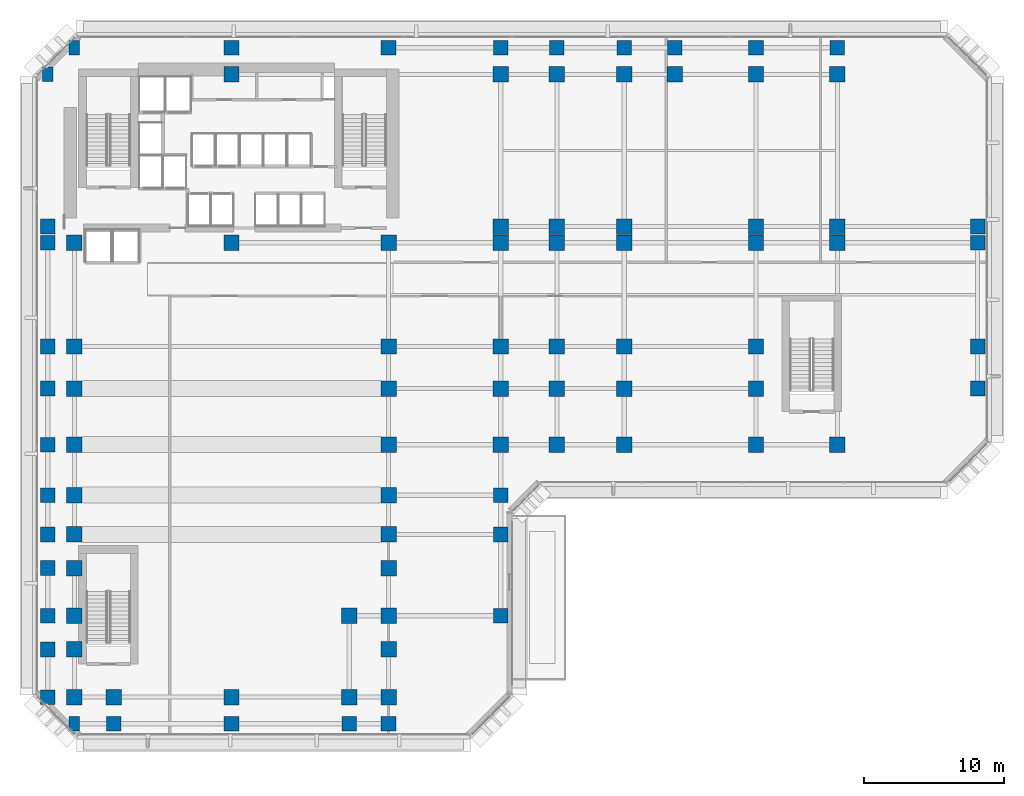
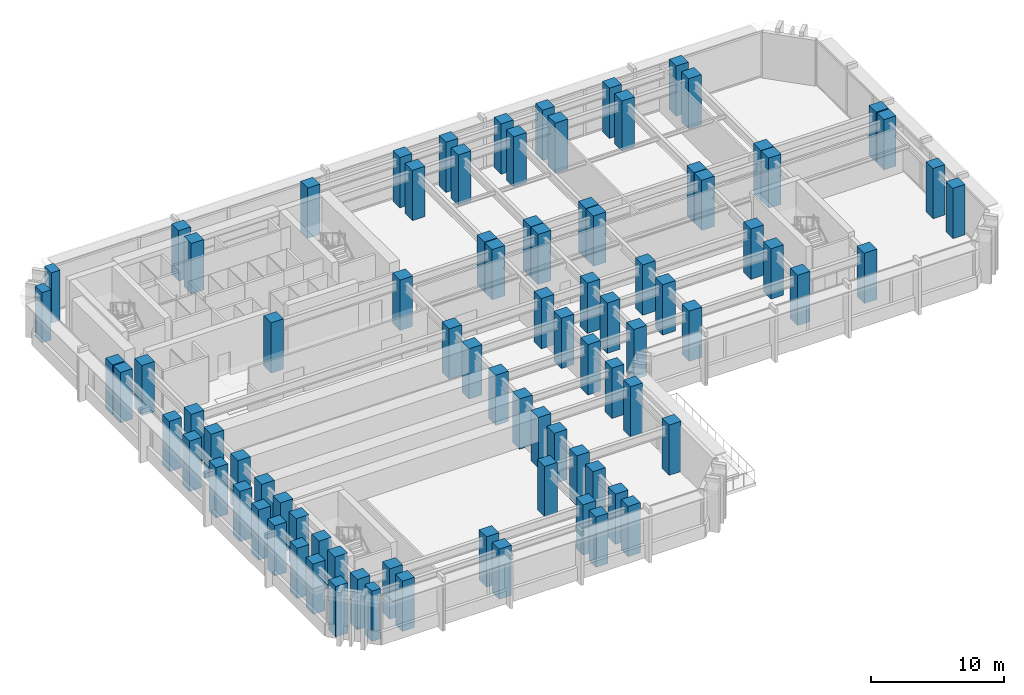
# One storey, part 1 of 16: 88 columns.
"""IFC4 building model written with IfcOpenShell, lengths in metres."""

from ifc_helpers import new_model, si_unit, direction, frame, origin, origin_2d, place, context, subcontext, project, spatial, rectangle, extrude, material, material_profile, profile_set, type_object, element, save


model = new_model("IFC4")

# Units and contexts
model_context = context("Model", 3, precision=1e-05, world=origin(), true_north=direction((0.0, 1.0)))
body_context = subcontext(model_context, "Body", "Model", "MODEL_VIEW")
ifc_project = project(units=[si_unit("LENGTHUNIT", "METRE"), si_unit("AREAUNIT", "SQUARE_METRE"), si_unit("VOLUMEUNIT", "CUBIC_METRE"), si_unit("PLANEANGLEUNIT", "RADIAN"), si_unit("MASSUNIT", "GRAM", prefix="KILO")], contexts=[model_context])

# Site, building, storey
site_placement = place(None, origin())
site = spatial("IfcSite", under=ifc_project, at=site_placement, CompositionType="ELEMENT")
building_placement = place(site_placement, origin())
building = spatial("IfcBuilding", under=site, at=building_placement, Name="Kefirva Bronze Tower", CompositionType="ELEMENT")
storey_placement = place(building_placement, frame((0.0, 0.0, 21.1201171875)))
storey = spatial("IfcBuildingStorey", under=building, at=storey_placement, Name="L04", CompositionType="ELEMENT", Elevation=21.1201171875)

# Columns
ifc_material = material(Name="Concrete C60/75", Category="concrete")
ifc_material_profile_1 = material_profile(ifc_material, rectangle(XDim=1.050048828125, YDim=1.050048828125, at=origin_2d()), Name="RC 1050x1050")
ifc_profile_set_1 = profile_set([ifc_material_profile_1], Name="Concrete C60/75")
column_type_1 = type_object("IfcColumnType", Name="RC Column 1050x1050 Ext", PredefinedType="COLUMN", material=ifc_profile_set_1)
for number, where, z_axis, x_axis, name in (
    (1, (-1.10009765625, 0.800048828125, 0.0), (0.0, 0.0, 1.0), (1.0, 0.0, 0.0), "L04 Column C-11_008"),
    (2, (-1.10009765625, 4.199951171875, 0.0), (0.0, 0.0, 1.0), (1.0, 0.0, 0.0), "L04 Column C-11_042"),
    (3, (-1.10009765625, 6.60009765625, 0.0), (0.0, 0.0, 1.0), (1.0, 0.0, 0.0), "L04 Column C-11_066"),
    (4, (-1.10009765625, 10.0, 0.0), (0.0, 0.0, 1.0), (1.0, 0.0, 0.0), "L04 Column C-11_100"),
    (5, (-1.10009765625, 12.39990234375, 0.0), (0.0, 0.0, 1.0), (1.0, 0.0, 0.0), "L04 Column C-11_124"),
    (6, (-1.10009765625, 15.199951171875, 0.0), (0.0, 0.0, 1.0), (1.0, 0.0, 0.0), "L04 Column C-11_152"),
    (7, (-1.10009765625, 18.800048828125, 0.0), (0.0, 0.0, 1.0), (1.0, 0.0, 0.0), "L04 Column C-11_188"),
    (8, (-1.10009765625, 22.800048828125, 0.0), (0.0, 0.0, 1.0), (1.0, 0.0, 0.0), "L04 Column C-11_228"),
    (9, (-1.10009765625, 25.800048828125, 0.0), (0.0, 0.0, 1.0), (1.0, 0.0, 0.0), "L04 Column C-11_258"),
    (10, (-1.10009765625, 33.199951171875, 0.0), (0.0, 0.0, 1.0), (1.0, 0.0, 0.0), "L04 Column C-11_332"),
    (11, (-1.10009765625, 34.35009765625, 0.0), (0.0, 0.0, 1.0), (1.0, 0.0, 0.0), "L04 Column C-11_344"),
    (12, (3.60009765625, -1.10009765625, 0.0), (0.0, 0.0, 1.0), (1.0, 0.0, 0.0), "L04 Column C036_-11"),
    (13, (12.0, -1.10009765625, 0.0), (0.0, 0.0, 1.0), (1.0, 0.0, 0.0), "L04 Column C120_-11"),
    (14, (12.0, 47.10009765625, 0.0), (0.0, 0.0, 1.0), (1.0, 0.0, 0.0), "L04 Column C120_471"),
    (15, (20.39990234375, -1.10009765625, 0.0), (0.0, 0.0, 1.0), (1.0, 0.0, 0.0), "L04 Column C204_-11"),
    (16, (23.199951171875, -1.10009765625, 0.0), (0.0, 0.0, 1.0), (1.0, 0.0, 0.0), "L04 Column C232_-11"),
    (17, (23.199951171875, 47.10009765625, 0.0), (0.0, 0.0, 1.0), (1.0, 0.0, 0.0), "L04 Column C232_471"),
    (18, (31.199951171875, 6.60009765625, 0.0), (0.0, 0.0, 1.0), (1.0, 0.0, 0.0), "L04 Column C312_066"),
    (19, (31.199951171875, 12.39990234375, 0.0), (0.0, 0.0, 1.0), (1.0, 0.0, 0.0), "L04 Column C312_124"),
    (20, (31.199951171875, 15.199951171875, 0.0), (0.0, 0.0, 1.0), (1.0, 0.0, 0.0), "L04 Column C312_152"),
    (21, (31.199951171875, 47.10009765625, 0.0), (0.0, 0.0, 1.0), (1.0, 0.0, 0.0), "L04 Column C312_471"),
    (22, (35.199951171875, 47.10009765625, 0.0), (0.0, 0.0, 1.0), (1.0, 0.0, 0.0), "L04 Column C352_471"),
    (23, (40.0, 47.10009765625, 0.0), (0.0, 0.0, 1.0), (1.0, 0.0, 0.0), "L04 Column C400_471"),
    (24, (43.60009765625, 47.10009765625, 0.0), (0.0, 0.0, 1.0), (1.0, 0.0, 0.0), "L04 Column C436_471"),
    (25, (49.39990234375, 47.10009765625, 0.0), (0.0, 0.0, 1.0), (1.0, 0.0, 0.0), "L04 Column C494_471"),
    (26, (55.199951171875, 47.10009765625, 0.0), (0.0, 0.0, 1.0), (1.0, 0.0, 0.0), "L04 Column C552_471"),
    (27, (65.199951171875, 22.800048828125, 0.0), (0.0, 0.0, 1.0), (1.0, 0.0, 0.0), "L04 Column C652_228"),
    (28, (65.199951171875, 25.800048828125, 0.0), (0.0, 0.0, 1.0), (1.0, 0.0, 0.0), "L04 Column C652_258"),
    (29, (65.199951171875, 33.199951171875, 0.0), (0.0, 0.0, 1.0), (1.0, 0.0, 0.0), "L04 Column C652_332"),
    (30, (65.199951171875, 34.35009765625, 0.0), (0.0, 0.0, 1.0), (1.0, 0.0, 0.0), "L04 Column C652_344"),
):
    element("IfcColumn", number, at=place(storey_placement, frame(where, z_axis=z_axis, x_axis=x_axis)), inside=storey, type_object=column_type_1, Name=name, PredefinedType="COLUMN", context=body_context, shape_type="SweptSolid", body=[
        extrude(rectangle(XDim=1.050048828125, YDim=1.050048828125, at=origin_2d()), origin(), (0.0, 0.0, 1.0), 4.619873046875),
    ])
ifc_material_profile_2 = material_profile(ifc_material, rectangle(XDim=1.10009765625, YDim=1.10009765625, at=origin_2d()), Name="RC 1100x1100")
ifc_profile_set_2 = profile_set([ifc_material_profile_2], Name="Concrete C60/75")
column_type_2 = type_object("IfcColumnType", Name="RC Column 1100x1100 Int", PredefinedType="COLUMN", material=ifc_profile_set_2)
for number, where, z_axis, x_axis, name in (
    (31, (0.800048828125, 0.800048828125, 0.0), (0.0, 0.0, 1.0), (1.0, 0.0, 0.0), "L04 Column C008_008"),
    (32, (0.800048828125, 4.199951171875, 0.0), (0.0, 0.0, 1.0), (1.0, 0.0, 0.0), "L04 Column C008_042"),
    (33, (0.800048828125, 6.60009765625, 0.0), (0.0, 0.0, 1.0), (1.0, 0.0, 0.0), "L04 Column C008_066"),
    (34, (0.800048828125, 10.0, 0.0), (0.0, 0.0, 1.0), (1.0, 0.0, 0.0), "L04 Column C008_100"),
    (35, (0.800048828125, 12.39990234375, 0.0), (0.0, 0.0, 1.0), (1.0, 0.0, 0.0), "L04 Column C008_124"),
    (36, (0.800048828125, 15.199951171875, 0.0), (0.0, 0.0, 1.0), (1.0, 0.0, 0.0), "L04 Column C008_152"),
    (37, (0.800048828125, 18.800048828125, 0.0), (0.0, 0.0, 1.0), (1.0, 0.0, 0.0), "L04 Column C008_188"),
    (38, (0.800048828125, 22.800048828125, 0.0), (0.0, 0.0, 1.0), (1.0, 0.0, 0.0), "L04 Column C008_228"),
    (39, (0.800048828125, 25.800048828125, 0.0), (0.0, 0.0, 1.0), (1.0, 0.0, 0.0), "L04 Column C008_258"),
    (40, (0.800048828125, 33.199951171875, 0.0), (0.0, 0.0, 1.0), (1.0, 0.0, 0.0), "L04 Column C008_332"),
    (41, (3.60009765625, 0.800048828125, 0.0), (0.0, 0.0, 1.0), (1.0, 0.0, 0.0), "L04 Column C036_008"),
    (42, (12.0, 0.800048828125, 0.0), (0.0, 0.0, 1.0), (1.0, 0.0, 0.0), "L04 Column C120_008"),
    (43, (12.0, 33.199951171875, 0.0), (0.0, 0.0, 1.0), (1.0, 0.0, 0.0), "L04 Column C120_332"),
    (44, (12.0, 45.199951171875, 0.0), (0.0, 0.0, 1.0), (1.0, 0.0, 0.0), "L04 Column C120_452"),
    (45, (20.39990234375, 0.800048828125, 0.0), (0.0, 0.0, 1.0), (1.0, 0.0, 0.0), "L04 Column C204_008"),
    (46, (20.39990234375, 6.60009765625, 0.0), (0.0, 0.0, 1.0), (1.0, 0.0, 0.0), "L04 Column C204_066"),
    (47, (23.199951171875, 0.800048828125, 0.0), (0.0, 0.0, 1.0), (1.0, 0.0, 0.0), "L04 Column C232_008"),
    (48, (23.199951171875, 4.199951171875, 0.0), (0.0, 0.0, 1.0), (1.0, 0.0, 0.0), "L04 Column C232_042"),
    (49, (23.199951171875, 6.60009765625, 0.0), (0.0, 0.0, 1.0), (1.0, 0.0, 0.0), "L04 Column C232_066"),
    (50, (23.199951171875, 10.0, 0.0), (0.0, 0.0, 1.0), (1.0, 0.0, 0.0), "L04 Column C232_100"),
    (51, (23.199951171875, 12.39990234375, 0.0), (0.0, 0.0, 1.0), (1.0, 0.0, 0.0), "L04 Column C232_124"),
    (52, (23.199951171875, 15.199951171875, 0.0), (0.0, 0.0, 1.0), (1.0, 0.0, 0.0), "L04 Column C232_152"),
    (53, (23.199951171875, 18.800048828125, 0.0), (0.0, 0.0, 1.0), (1.0, 0.0, 0.0), "L04 Column C232_188"),
    (54, (23.199951171875, 22.800048828125, 0.0), (0.0, 0.0, 1.0), (1.0, 0.0, 0.0), "L04 Column C232_228"),
    (55, (23.199951171875, 25.800048828125, 0.0), (0.0, 0.0, 1.0), (1.0, 0.0, 0.0), "L04 Column C232_258"),
    (56, (23.199951171875, 33.199951171875, 0.0), (0.0, 0.0, 1.0), (1.0, 0.0, 0.0), "L04 Column C232_332"),
    (57, (31.199951171875, 18.800048828125, 0.0), (0.0, 0.0, 1.0), (1.0, 0.0, 0.0), "L04 Column C312_188"),
    (58, (31.199951171875, 22.800048828125, 0.0), (0.0, 0.0, 1.0), (1.0, 0.0, 0.0), "L04 Column C312_228"),
    (59, (31.199951171875, 25.800048828125, 0.0), (0.0, 0.0, 1.0), (1.0, 0.0, 0.0), "L04 Column C312_258"),
    (60, (31.199951171875, 33.199951171875, 0.0), (0.0, 0.0, 1.0), (1.0, 0.0, 0.0), "L04 Column C312_332"),
    (61, (31.199951171875, 34.35009765625, 0.0), (0.0, 0.0, 1.0), (1.0, 0.0, 0.0), "L04 Column C312_344"),
    (62, (31.199951171875, 45.199951171875, 0.0), (0.0, 0.0, 1.0), (1.0, 0.0, 0.0), "L04 Column C312_452"),
    (63, (35.199951171875, 18.800048828125, 0.0), (0.0, 0.0, 1.0), (1.0, 0.0, 0.0), "L04 Column C352_188"),
    (64, (35.199951171875, 22.800048828125, 0.0), (0.0, 0.0, 1.0), (1.0, 0.0, 0.0), "L04 Column C352_228"),
    (65, (35.199951171875, 25.800048828125, 0.0), (0.0, 0.0, 1.0), (1.0, 0.0, 0.0), "L04 Column C352_258"),
    (66, (35.199951171875, 33.199951171875, 0.0), (0.0, 0.0, 1.0), (1.0, 0.0, 0.0), "L04 Column C352_332"),
    (67, (35.199951171875, 34.35009765625, 0.0), (0.0, 0.0, 1.0), (1.0, 0.0, 0.0), "L04 Column C352_344"),
    (68, (35.199951171875, 45.199951171875, 0.0), (0.0, 0.0, 1.0), (1.0, 0.0, 0.0), "L04 Column C352_452"),
    (69, (40.0, 18.800048828125, 0.0), (0.0, 0.0, 1.0), (1.0, 0.0, 0.0), "L04 Column C400_188"),
    (70, (40.0, 22.800048828125, 0.0), (0.0, 0.0, 1.0), (1.0, 0.0, 0.0), "L04 Column C400_228"),
    (71, (40.0, 25.800048828125, 0.0), (0.0, 0.0, 1.0), (1.0, 0.0, 0.0), "L04 Column C400_258"),
    (72, (40.0, 33.199951171875, 0.0), (0.0, 0.0, 1.0), (1.0, 0.0, 0.0), "L04 Column C400_332"),
    (73, (40.0, 34.35009765625, 0.0), (0.0, 0.0, 1.0), (1.0, 0.0, 0.0), "L04 Column C400_344"),
    (74, (40.0, 45.199951171875, 0.0), (0.0, 0.0, 1.0), (1.0, 0.0, 0.0), "L04 Column C400_452"),
    (75, (43.60009765625, 45.199951171875, 0.0), (0.0, 0.0, 1.0), (1.0, 0.0, 0.0), "L04 Column C436_452"),
    (76, (49.39990234375, 18.800048828125, 0.0), (0.0, 0.0, 1.0), (1.0, 0.0, 0.0), "L04 Column C494_188"),
    (77, (49.39990234375, 22.800048828125, 0.0), (0.0, 0.0, 1.0), (1.0, 0.0, 0.0), "L04 Column C494_228"),
    (78, (49.39990234375, 25.800048828125, 0.0), (0.0, 0.0, 1.0), (1.0, 0.0, 0.0), "L04 Column C494_258"),
    (79, (49.39990234375, 33.199951171875, 0.0), (0.0, 0.0, 1.0), (1.0, 0.0, 0.0), "L04 Column C494_332"),
    (80, (49.39990234375, 34.35009765625, 0.0), (0.0, 0.0, 1.0), (1.0, 0.0, 0.0), "L04 Column C494_344"),
    (81, (49.39990234375, 45.199951171875, 0.0), (0.0, 0.0, 1.0), (1.0, 0.0, 0.0), "L04 Column C494_452"),
    (82, (55.199951171875, 18.800048828125, 0.0), (0.0, 0.0, 1.0), (1.0, 0.0, 0.0), "L04 Column C552_188"),
    (83, (55.199951171875, 33.199951171875, 0.0), (0.0, 0.0, 1.0), (1.0, 0.0, 0.0), "L04 Column C552_332"),
    (84, (55.199951171875, 34.35009765625, 0.0), (0.0, 0.0, 1.0), (1.0, 0.0, 0.0), "L04 Column C552_344"),
    (85, (55.199951171875, 45.199951171875, 0.0), (0.0, 0.0, 1.0), (1.0, 0.0, 0.0), "L04 Column C552_452"),
):
    element("IfcColumn", number, at=place(storey_placement, frame(where, z_axis=z_axis, x_axis=x_axis)), inside=storey, type_object=column_type_2, Name=name, PredefinedType="COLUMN", context=body_context, shape_type="SweptSolid", body=[
        extrude(rectangle(XDim=1.10009765625, YDim=1.10009765625, at=origin_2d()), origin(), (0.0, 0.0, 1.0), 4.619873046875),
    ])
ifc_material_profile_3 = material_profile(ifc_material, rectangle(XDim=0.760009765625, YDim=1.0400390625, at=origin_2d()), Name="RC 760x1040")
ifc_profile_set_3 = profile_set([ifc_material_profile_3], Name="Concrete C60/75")
column_type_3 = type_object("IfcColumnType", Name="RC Corner Buttress Pilaster 1040x760", PredefinedType="PILASTER", material=ifc_profile_set_3)
for number, where, z_axis, x_axis, name in (
    (86, (-1.10009765625, 45.199951171875, 0.0), (0.0, 0.0, 1.0), (1.0, 0.0, 0.0), "L04 Column C-11_452"),
    (87, (0.800048828125, -1.10009765625, 0.0), (0.0, 0.0, 1.0), (1.0, 0.0, 0.0), "L04 Column C008_-11"),
    (88, (0.800048828125, 47.10009765625, 0.0), (0.0, 0.0, 1.0), (1.0, 0.0, 0.0), "L04 Column C008_471"),
):
    element("IfcColumn", number, at=place(storey_placement, frame(where, z_axis=z_axis, x_axis=x_axis)), inside=storey, type_object=column_type_3, Name=name, PredefinedType="PILASTER", context=body_context, shape_type="SweptSolid", body=[
        extrude(rectangle(XDim=0.760009765625, YDim=1.0400390625, at=origin_2d()), origin(), (0.0, 0.0, 1.0), 4.619873046875),
    ])

save(model, "model.ifc")
